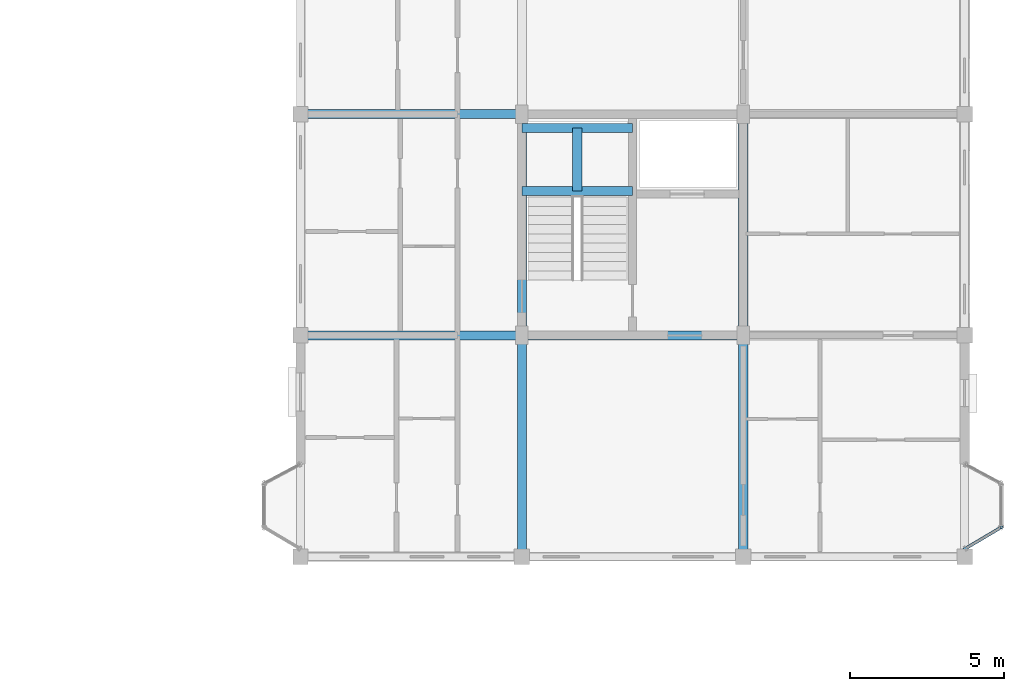
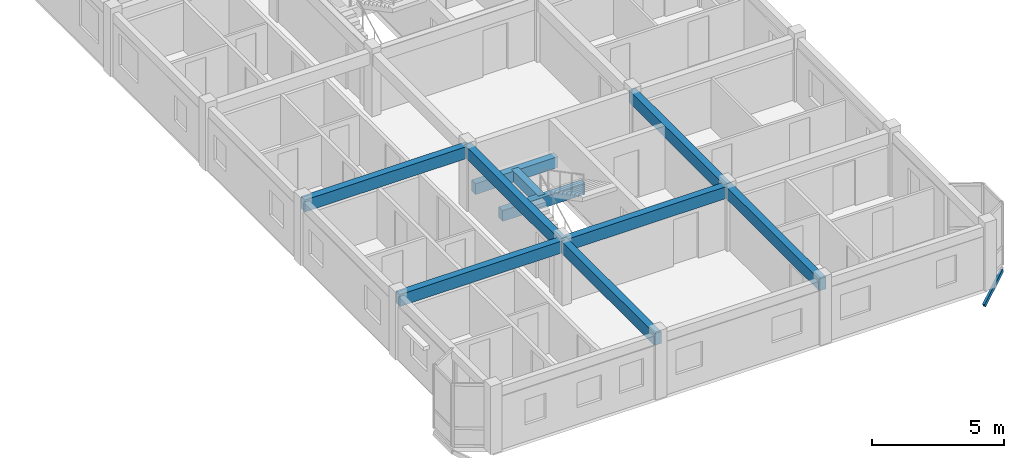
# One storey, part 22 of 65: 10 beams, 1 member.
"""IFC4 building model written with IfcOpenShell, lengths in metres."""

from ifc_helpers import new_model, si_unit, direction, frame, origin, origin_2d, place, context, subcontext, project, spatial, rectangle, hollow_rectangle, extrude, material, material_profile, profile_set, type_object, element, save


model = new_model("IFC4")

# Units and contexts
model_context = context("Model", 3, precision=1e-05, world=origin(), true_north=direction((0.0, 1.0)))
body_context = subcontext(model_context, "Body", "Model", "MODEL_VIEW")
ifc_project = project(units=[si_unit("LENGTHUNIT", "METRE"), si_unit("AREAUNIT", "SQUARE_METRE"), si_unit("VOLUMEUNIT", "CUBIC_METRE"), si_unit("PLANEANGLEUNIT", "RADIAN"), si_unit("MASSUNIT", "GRAM", prefix="KILO"), si_unit("THERMODYNAMICTEMPERATUREUNIT", "KELVIN"), si_unit("POWERUNIT", "WATT")], contexts=[model_context])

# Site, building, storey
site_placement = place(None, origin())
site = spatial("IfcSite", under=ifc_project, at=site_placement, CompositionType="ELEMENT")
building_placement = place(site_placement, origin())
building = spatial("IfcBuilding", under=site, at=building_placement, Name="Tavuni Mirador Residences", CompositionType="ELEMENT")
storey_placement = place(building_placement, frame((0.0, 0.0, 29.699951171875)))
storey = spatial("IfcBuildingStorey", under=building, at=storey_placement, Name="L09", CompositionType="ELEMENT", Elevation=29.699951171875)

# Beams
ifc_material_1 = material(Name="Precast concrete C40/50", Category="concrete")
ifc_material_profile_1 = material_profile(ifc_material_1, rectangle(XDim=0.300048828125, YDim=0.5, at=origin_2d()), Name="PC 300x500", Category="concrete")
ifc_profile_set_1 = profile_set([ifc_material_profile_1], Name="Precast concrete C40/50")
beam_type_1 = type_object("IfcBeamType", Name="BT-B500", PredefinedType="BEAM", material=ifc_profile_set_1)
for number, where, z_axis, x_axis, name in (
    (1, (104.39990234375, 98.300048828125, 1.14501953125), (1.0, 0.0, 0.0), (0.0, 1.0, 0.0), "HLB1-C7-L09"),
    (2, (104.39990234375, 100.35009765625, 1.14501953125), (1.0, 0.0, 0.0), (0.0, 1.0, 0.0), "HLB2-C7-L09"),
):
    element("IfcBeam", number, at=place(storey_placement, frame(where, z_axis=z_axis, x_axis=x_axis)), inside=storey, type_object=beam_type_1, Name=name, PredefinedType="BEAM", context=body_context, shape_type="SweptSolid", body=[
        extrude(rectangle(XDim=0.300048828125, YDim=0.5, at=origin_2d()), origin(), (0.0, 0.0, 1.0), 3.60009765625),
    ])
beam_1_placement = place(storey_placement, frame((106.199951171875, 98.300048828125, 1.14501953125), z_axis=(0.0, 1.0, 0.0), x_axis=(-1.0, 0.0, 0.0)))
element("IfcBeam", 3, at=beam_1_placement, inside=storey, type_object=beam_type_1, Name="HLB3-C7-L09", PredefinedType="BEAM", context=body_context, shape_type="SweptSolid", body=[
    extrude(rectangle(XDim=0.300048828125, YDim=0.5, at=origin_2d()), origin(), (0.0, 0.0, 1.0), 2.050048828125),
])
ifc_material_profile_2 = material_profile(ifc_material_1, rectangle(XDim=0.300048828125, YDim=0.550048828125, at=origin_2d()), Name="PC 300x550", Category="concrete")
ifc_profile_set_2 = profile_set([ifc_material_profile_2], Name="Precast concrete C40/50")
beam_type_2 = type_object("IfcBeamType", Name="BT-B550", PredefinedType="BEAM", material=ifc_profile_set_2)
beam_2_placement = place(storey_placement, frame((97.199951171875, 93.60009765625, 2.614990234375), z_axis=(1.0, 0.0, 0.0), x_axis=(0.0, 1.0, 0.0)))
element("IfcBeam", 4, at=beam_2_placement, inside=storey, type_object=beam_type_2, Name="BMX-BLK-D-L09-00-01", PredefinedType="BEAM", context=body_context, shape_type="SweptSolid", body=[
    extrude(rectangle(XDim=0.300048828125, YDim=0.550048828125, at=origin_2d()), origin(), (0.0, 0.0, 1.0), 7.199951171875),
])
beam_3_placement = place(storey_placement, frame((104.39990234375, 93.60009765625, 2.614990234375), z_axis=(1.0, 0.0, 0.0), x_axis=(0.0, 1.0, 0.0)))
element("IfcBeam", 5, at=beam_3_placement, inside=storey, type_object=beam_type_2, Name="BMX-BLK-D-L09-01-01", PredefinedType="BEAM", context=body_context, shape_type="SweptSolid", body=[
    extrude(rectangle(XDim=0.300048828125, YDim=0.550048828125, at=origin_2d()), origin(), (0.0, 0.0, 1.0), 7.2001953125),
])
beam_4_placement = place(storey_placement, frame((97.199951171875, 100.800048828125, 2.614990234375), z_axis=(1.0, 0.0, 0.0), x_axis=(0.0, 1.0, 0.0)))
element("IfcBeam", 6, at=beam_4_placement, inside=storey, type_object=beam_type_2, Name="BMX-BLK-D-L09-00-02", PredefinedType="BEAM", context=body_context, shape_type="SweptSolid", body=[
    extrude(rectangle(XDim=0.300048828125, YDim=0.550048828125, at=origin_2d()), origin(), (0.0, 0.0, 1.0), 7.199951171875),
])
beam_5_placement = place(storey_placement, frame((104.39990234375, 86.39990234375, 2.614990234375), z_axis=(0.0, 1.0, 0.0), x_axis=(-1.0, 0.0, 0.0)))
element("IfcBeam", 7, at=beam_5_placement, inside=storey, type_object=beam_type_2, Name="BMY-BLK-D-L09-01-00", PredefinedType="BEAM", context=body_context, shape_type="SweptSolid", body=[
    extrude(rectangle(XDim=0.300048828125, YDim=0.550048828125, at=origin_2d()), origin(), (0.0, 0.0, 1.0), 7.2001953125),
])
beam_6_placement = place(storey_placement, frame((104.39990234375, 93.60009765625, 2.614990234375), z_axis=(0.0, 1.0, 0.0), x_axis=(-1.0, 0.0, 0.0)))
element("IfcBeam", 8, at=beam_6_placement, inside=storey, type_object=beam_type_2, Name="BMY-BLK-D-L09-01-01", PredefinedType="BEAM", context=body_context, shape_type="SweptSolid", body=[
    extrude(rectangle(XDim=0.300048828125, YDim=0.550048828125, at=origin_2d()), origin(), (0.0, 0.0, 1.0), 7.199951171875),
])
beam_7_placement = place(storey_placement, frame((111.60009765625, 86.39990234375, 2.614990234375), z_axis=(0.0, 1.0, 0.0), x_axis=(-1.0, 0.0, 0.0)))
element("IfcBeam", 9, at=beam_7_placement, inside=storey, type_object=beam_type_2, Name="BMY-BLK-D-L09-02-00", PredefinedType="BEAM", context=body_context, shape_type="SweptSolid", body=[
    extrude(rectangle(XDim=0.300048828125, YDim=0.550048828125, at=origin_2d()), origin(), (0.0, 0.0, 1.0), 7.2001953125),
])
beam_8_placement = place(storey_placement, frame((111.60009765625, 93.60009765625, 2.614990234375), z_axis=(0.0, 1.0, 0.0), x_axis=(-1.0, 0.0, 0.0)))
element("IfcBeam", 10, at=beam_8_placement, inside=storey, type_object=beam_type_2, Name="BMY-BLK-D-L09-02-01", PredefinedType="BEAM", context=body_context, shape_type="SweptSolid", body=[
    extrude(rectangle(XDim=0.300048828125, YDim=0.550048828125, at=origin_2d()), origin(), (0.0, 0.0, 1.0), 7.199951171875),
])

# Member
ifc_material_2 = material(Name="Structural steel S355", Category="steel")
ifc_material_profile_3 = material_profile(ifc_material_2, hollow_rectangle(XDim=0.10009765625, YDim=0.179931640625, WallThickness=0.008056640625, at=origin_2d()), Name="RHS 180x100x8.0", Category="steel")
ifc_profile_set_3 = profile_set([ifc_material_profile_3], Name="Structural steel S355")
member_type = type_object("IfcMemberType", Name="MT-BR-RHS180", PredefinedType="BRACE", material=ifc_profile_set_3)
member_placement = place(storey_placement, frame((118.800048828125, 86.64990234375, -1.050048828125), z_axis=(0.748736867026, 0.443148636048, 0.492962869114), x_axis=(-0.509336771823, 0.860567285497, 0.0)))
element("IfcMember", 11, at=member_placement, inside=storey, type_object=member_type, Name="MBRK-MIR-D-E1-L09-1", PredefinedType="BRACE", context=body_context, shape_type="SweptSolid", body=[
    extrude(hollow_rectangle(XDim=0.10009765625, YDim=0.179931640625, WallThickness=0.008056640625, at=origin_2d()), origin(), (0.0, 0.0, 1.0), 1.6025390625),
])

save(model, "model.ifc")
